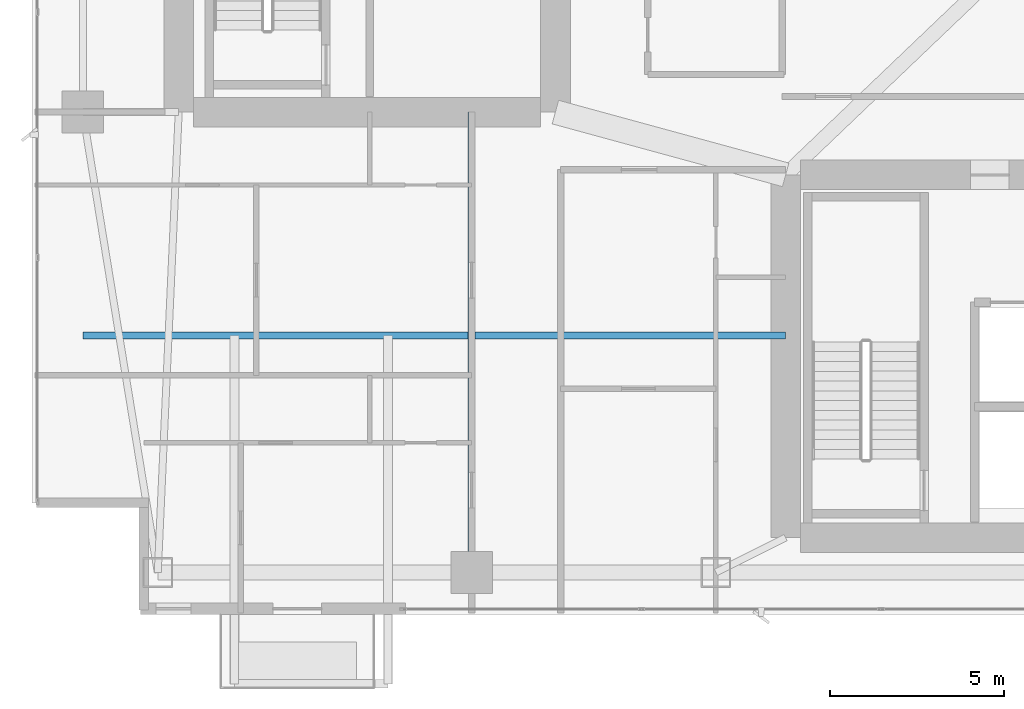
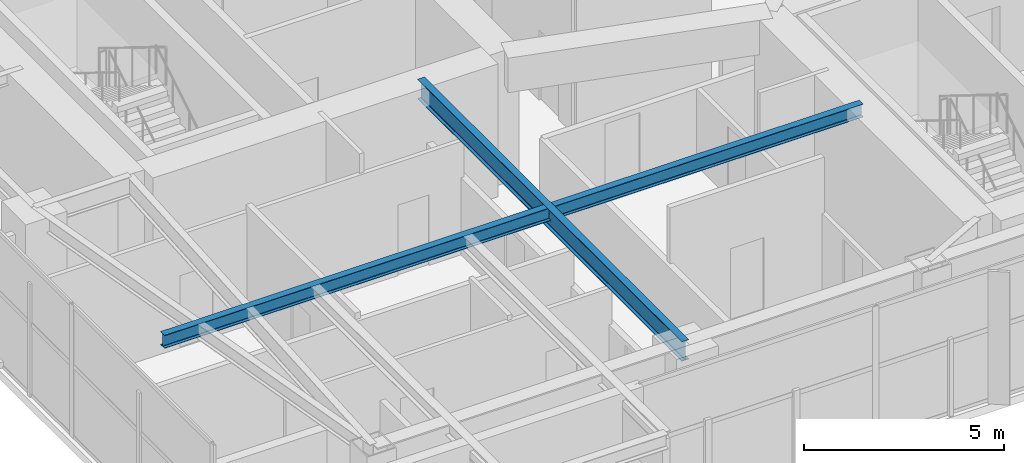
# One storey, part 5 of 30: 2 beams.
"""IFC4 building model written with IfcOpenShell, lengths in metres."""

from ifc_helpers import new_model, si_unit, direction, frame, origin, origin_2d, place, context, subcontext, project, spatial, i_section, extrude, material, material_profile, profile_set, type_object, element, save


model = new_model("IFC4")

# Units and contexts
model_context = context("Model", 3, precision=1e-05, world=origin(), true_north=direction((0.0, 1.0)))
body_context = subcontext(model_context, "Body", "Model", "MODEL_VIEW")
ifc_project = project(units=[si_unit("LENGTHUNIT", "METRE"), si_unit("AREAUNIT", "SQUARE_METRE"), si_unit("VOLUMEUNIT", "CUBIC_METRE"), si_unit("PLANEANGLEUNIT", "RADIAN"), si_unit("MASSUNIT", "GRAM", prefix="KILO")], contexts=[model_context])

# Site, building, storey
site_placement = place(None, origin())
site = spatial("IfcSite", under=ifc_project, at=site_placement, CompositionType="ELEMENT")
building_placement = place(site_placement, origin())
building = spatial("IfcBuilding", under=site, at=building_placement, Name="Calvorn Quay Hotel", CompositionType="ELEMENT")
storey_placement = place(building_placement, frame((0.0, 0.0, 195.10009765625)))
storey = spatial("IfcBuildingStorey", under=building, at=storey_placement, Name="L48", CompositionType="ELEMENT", Elevation=195.10009765625)

# Beams
ifc_material_1 = material(Name="Steel Q355B", Category="steel")
ifc_material_profile_1 = material_profile(ifc_material_1, i_section(OverallWidth=0.199951171875, OverallDepth=0.60009765625, WebThickness=0.010986328125, FlangeThickness=0.01708984375, FilletRadius=0.01806640625, at=origin_2d()), Name="HN600x200x11x17")
ifc_profile_set_1 = profile_set([ifc_material_profile_1], Name="Steel Q355B")
beam_type_1 = type_object("IfcBeamType", Name="BM-GIRD-TYP", PredefinedType="BEAM", material=ifc_profile_set_1)
beam_1_placement = place(storey_placement, frame((12.60009765625, 3.60009765625, 3.75), z_axis=(0.0, 1.0, 0.0), x_axis=(-1.0, 0.0, 0.0)))
element("IfcBeam", 1, at=beam_1_placement, inside=storey, type_object=beam_type_1, Name="Beam BG-L48-S1", PredefinedType="BEAM", context=body_context, shape_type="SweptSolid", body=[
    extrude(i_section(OverallWidth=0.199951171875, OverallDepth=0.60009765625, WebThickness=0.010986328125, FlangeThickness=0.01708984375, FilletRadius=0.01806640625, at=origin_2d()), origin(), (0.0, 0.0, 1.0), 13.199951171875),
])
ifc_material_2 = material(Name="Steel Q355B", Category="steel")
ifc_material_profile_2 = material_profile(ifc_material_2, i_section(OverallWidth=0.199951171875, OverallDepth=0.39990234375, WebThickness=0.008056640625, FlangeThickness=0.012939453125, FilletRadius=0.01611328125, at=origin_2d()), Name="HN400x200x8x13")
ifc_profile_set_2 = profile_set([ifc_material_profile_2], Name="Steel Q355B")
beam_type_2 = type_object("IfcBeamType", Name="BM-JOIST-TYP", PredefinedType="JOIST", material=ifc_profile_set_2)
beam_2_placement = place(storey_placement, frame((1.449951171875, 10.39990234375, 3.849853515625), z_axis=(1.0, 0.0, 0.0), x_axis=(0.0, 1.0, 0.0)))
element("IfcBeam", 2, at=beam_2_placement, inside=storey, type_object=beam_type_2, Name="Beam BJ-L48-W1", PredefinedType="JOIST", context=body_context, shape_type="SweptSolid", body=[
    extrude(i_section(OverallWidth=0.199951171875, OverallDepth=0.39990234375, WebThickness=0.008056640625, FlangeThickness=0.012939453125, FilletRadius=0.01611328125, at=origin_2d()), origin(), (0.0, 0.0, 1.0), 20.150146484375),
])

save(model, "model.ifc")
